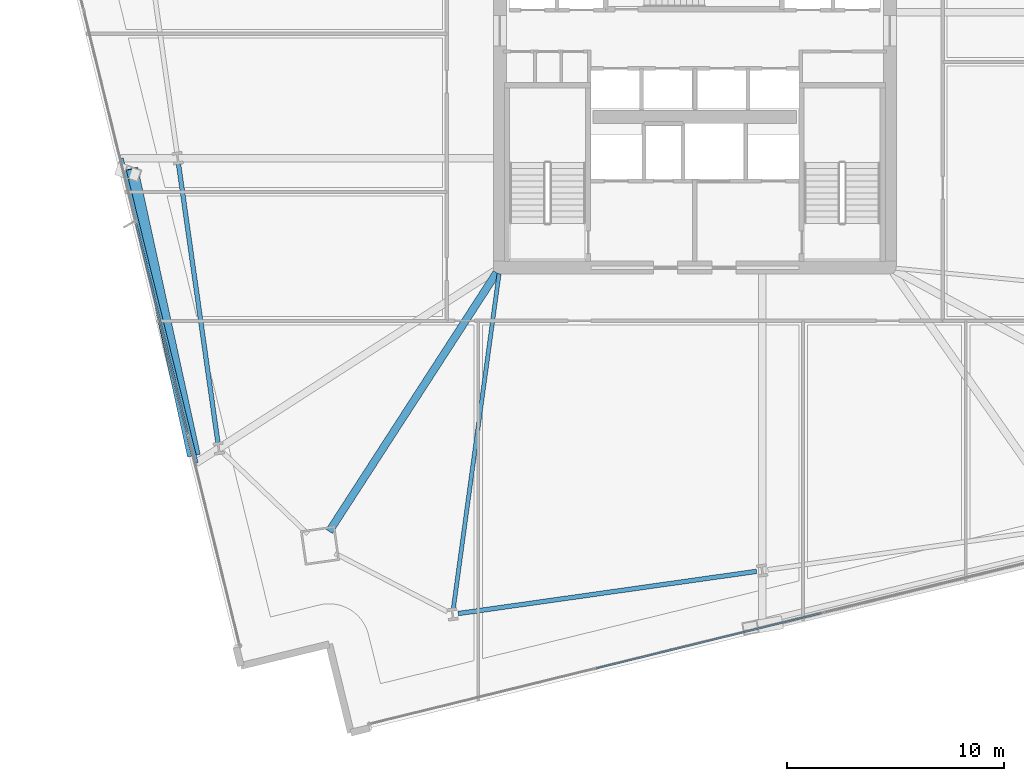
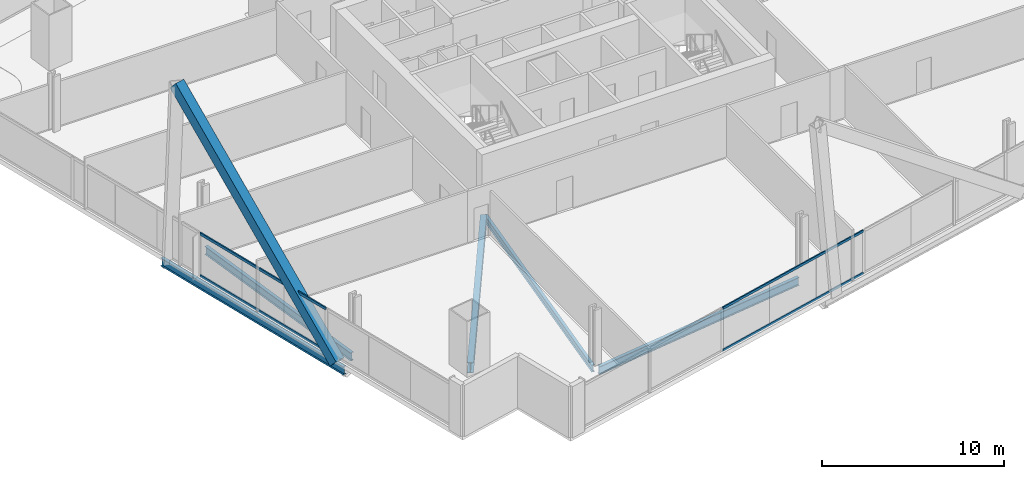
# One storey, part 4 of 32: 5 beams, 5 members, 2 elements without a shape of their own.
"""IFC4 building model written with IfcOpenShell, lengths in metres."""

from ifc_helpers import new_model, si_unit, direction, frame, origin, origin_2d, place, context, subcontext, project, spatial, hollow_rectangle, i_section, extrude, material, material_profile, profile_set, type_object, element, aggregate, save


model = new_model("IFC4")

# Units and contexts
model_context = context("Model", 3, precision=1e-05, world=origin(), true_north=direction((0.0, 1.0)))
body_context = subcontext(model_context, "Body", "Model", "MODEL_VIEW")
ifc_project = project(units=[si_unit("LENGTHUNIT", "METRE"), si_unit("AREAUNIT", "SQUARE_METRE"), si_unit("VOLUMEUNIT", "CUBIC_METRE"), si_unit("PLANEANGLEUNIT", "RADIAN"), si_unit("MASSUNIT", "GRAM", prefix="KILO")], contexts=[model_context])

# Site, building, storey
site_placement = place(None, origin())
site = spatial("IfcSite", under=ifc_project, at=site_placement, CompositionType="ELEMENT")
building_placement = place(site_placement, origin())
building = spatial("IfcBuilding", under=site, at=building_placement, Name="Haldenkirk Collegiate Tower", CompositionType="ELEMENT")
storey_placement = place(building_placement, frame((0.0, 0.0, 73.949951171875)))
storey = spatial("IfcBuildingStorey", under=building, at=storey_placement, Name="L17", CompositionType="ELEMENT", Elevation=73.949951171875)

# Beams
ifc_material_1 = material(Name="Steel ASTM A992 Grade 50", Category="steel")
ifc_material_profile_1 = material_profile(ifc_material_1, i_section(OverallWidth=0.35498046875, OverallDepth=0.696044921875, WebThickness=0.015380859375, FlangeThickness=0.02490234375, at=origin_2d()), Name="W27X146")
ifc_profile_set_1 = profile_set([ifc_material_profile_1], Name="Steel ASTM A992 Grade 50")
beam_type_1 = type_object("IfcBeamType", Name="BM-GIRDER-W27X146", PredefinedType="BEAM", material=ifc_profile_set_1)
beam_1_placement = place(storey_placement, frame((19.1201171875, 5.826416015625, -0.657958984375), z_axis=(0.54339434448, 0.839477567531, 0.0), x_axis=(-0.839477567531, 0.54339434448, 0.0)))
element("IfcBeam", 1, at=beam_1_placement, inside=storey, type_object=beam_type_1, Name="L17 primary floor girder 01", PredefinedType="BEAM", context=body_context, shape_type="SweptSolid", body=[
    extrude(i_section(OverallWidth=0.35498046875, OverallDepth=0.696044921875, WebThickness=0.015380859375, FlangeThickness=0.02490234375, at=origin_2d()), origin(), (0.0, 0.0, 1.0), 14.221435546875),
])
ifc_material_profile_2 = material_profile(ifc_material_1, i_section(OverallWidth=0.19189453125, OverallDepth=0.462890625, WebThickness=0.010498046875, FlangeThickness=0.017578125, at=origin_2d()), Name="W18X60")
ifc_profile_set_2 = profile_set([ifc_material_profile_2], Name="Steel ASTM A992 Grade 50")
beam_type_2 = type_object("IfcBeamType", Name="BM-JOIST-W18X60", PredefinedType="JOIST", material=ifc_profile_set_2)
beam_2_placement = place(storey_placement, frame((24.850830078125, 2.25927734375, -0.54150390625), z_axis=(0.135282136316, 0.99080711725, 0.0), x_axis=(-0.99080711725, 0.135282136316, 0.0)))
element("IfcBeam", 2, at=beam_2_placement, inside=storey, type_object=beam_type_2, Name="L17 composite floor joist 05", PredefinedType="JOIST", context=body_context, shape_type="SweptSolid", body=[
    extrude(i_section(OverallWidth=0.19189453125, OverallDepth=0.462890625, WebThickness=0.010498046875, FlangeThickness=0.017578125, at=origin_2d()), origin(), (0.0, 0.0, 1.0), 15.60693359375),
])
ifc_material_profile_3 = material_profile(ifc_material_1, i_section(OverallWidth=0.2119140625, OverallDepth=0.5439453125, WebThickness=0.01318359375, FlangeThickness=0.021240234375, at=origin_2d()), Name="W21X83")
ifc_profile_set_3 = profile_set([ifc_material_profile_3], Name="Steel ASTM A992 Grade 50")
beam_type_3 = type_object("IfcBeamType", Name="BM-SPANDREL-W21X83", PredefinedType="SPANDREL", material=ifc_profile_set_3)
beam_3_placement = place(storey_placement, frame((25.076904296875, 2.0341796875, -0.58203125), z_axis=(0.990146197746, 0.14003752029, 0.0), x_axis=(-0.14003752029, 0.990146197746, 0.0)))
element("IfcBeam", 3, at=beam_3_placement, inside=storey, type_object=beam_type_3, Name="L17 perimeter spandrel beam 02", PredefinedType="SPANDREL", context=body_context, shape_type="SweptSolid", body=[
    extrude(i_section(OverallWidth=0.2119140625, OverallDepth=0.5439453125, WebThickness=0.01318359375, FlangeThickness=0.021240234375, at=origin_2d()), origin(), (0.0, 0.0, 1.0), 13.906982421875),
])
beam_4_placement = place(storey_placement, frame((12.16455078125, 22.791015625, -0.58203125), z_axis=(0.140043508171, -0.990145350855, 0.0), x_axis=(0.990145350855, 0.140043508171, 0.0)))
element("IfcBeam", 4, at=beam_4_placement, inside=storey, type_object=beam_type_3, Name="L17 perimeter spandrel beam 15", PredefinedType="SPANDREL", context=body_context, shape_type="SweptSolid", body=[
    extrude(i_section(OverallWidth=0.2119140625, OverallDepth=0.5439453125, WebThickness=0.01318359375, FlangeThickness=0.021240234375, at=origin_2d()), origin(), (0.0, 0.0, 1.0), 13.0),
])
beam_5_placement = place(storey_placement, frame((9.50830078125, 23.052978515625, -0.58203125), z_axis=(0.238526407577, -0.971136011529, 0.0), x_axis=(0.971136011529, 0.238526407577, 0.0)))
element("IfcBeam", 5, at=beam_5_placement, inside=storey, type_object=beam_type_3, Name="L17 outer facade edge beam 4", PredefinedType="SPANDREL", context=body_context, shape_type="SweptSolid", body=[
    extrude(i_section(OverallWidth=0.2119140625, OverallDepth=0.5439453125, WebThickness=0.01318359375, FlangeThickness=0.021240234375, at=origin_2d()), origin(), (0.0, 0.0, 1.0), 14.4931640625),
])

# Curtain wall, members
ifc_material_2 = material(Name="Anodised architectural bronze aluminium", Category="aluminium")
curtain_wall_type_1 = type_object("IfcCurtainWallType", Name="CW-SYS2-CONCAVE", PredefinedType="USERDEFINED", material=ifc_material_2)
curtain_wall_1_placement = place(storey_placement, origin())
curtain_wall_1 = element("IfcCurtainWall", 6, at=curtain_wall_1_placement, inside=storey, type_object=curtain_wall_type_1, Name="L17 South concave recessed bronze-anodised curtain wall", ObjectType="UNITISED CURTAIN WALL", PredefinedType="USERDEFINED")
ifc_material_profile_4 = material_profile(ifc_material_2, hollow_rectangle(XDim=0.074951171875, YDim=0.159912109375, WallThickness=0.0048828125, at=origin_2d()), Name="CW-TRN-02")
ifc_profile_set_4 = profile_set([ifc_material_profile_4], Name="Anodised architectural bronze aluminium")
member_type_1 = type_object("IfcMemberType", Name="CW-TRN-02", PredefinedType="USERDEFINED", material=ifc_profile_set_4)
member_1_placement = place(storey_placement, frame((41.84228515625, 2.057373046875, 0.03759765625), z_axis=(-0.97113549501, -0.238528510522, 0.0), x_axis=(0.238528510522, -0.97113549501, 0.0)))
member_1 = element("IfcMember", 7, at=member_1_placement, type_object=member_type_1, Name="CW-02 transom 3.1", ObjectType="TRANSOM", PredefinedType="USERDEFINED", context=body_context, shape_type="SweptSolid", body=[
    extrude(hollow_rectangle(XDim=0.074951171875, YDim=0.159912109375, WallThickness=0.0048828125, at=origin_2d()), origin(), (0.0, 0.0, 1.0), 10.699951171875),
])
member_2_placement = place(storey_placement, frame((41.84228515625, 2.057373046875, 2.853515625), z_axis=(-0.97113549501, -0.238528510522, 0.0), x_axis=(0.238528510522, -0.97113549501, 0.0)))
member_2 = element("IfcMember", 8, at=member_2_placement, type_object=member_type_1, Name="CW-02 transom 3.2", ObjectType="TRANSOM", PredefinedType="USERDEFINED", context=body_context, shape_type="SweptSolid", body=[
    extrude(hollow_rectangle(XDim=0.074951171875, YDim=0.159912109375, WallThickness=0.0048828125, at=origin_2d()), origin(), (0.0, 0.0, 1.0), 10.699951171875),
])
aggregate(curtain_wall_1, [member_1, member_2])

curtain_wall_type_2 = type_object("IfcCurtainWallType", Name="CW-SYS1-CONVEX-LOW", PredefinedType="USERDEFINED", material=ifc_material_2)
curtain_wall_2_placement = place(storey_placement, origin())
curtain_wall_2 = element("IfcCurtainWall", 9, at=curtain_wall_2_placement, inside=storey, type_object=curtain_wall_type_2, Name="L17 Lower tower convex bronze-framed unitised curtain wall", ObjectType="UNITISED CURTAIN WALL", PredefinedType="USERDEFINED")
ifc_material_profile_5 = material_profile(ifc_material_2, hollow_rectangle(XDim=0.080078125, YDim=0.179931640625, WallThickness=0.0048828125, at=origin_2d()), Name="CW-TRN-1A")
ifc_profile_set_5 = profile_set([ifc_material_profile_5], Name="Anodised architectural bronze aluminium")
member_type_2 = type_object("IfcMemberType", Name="CW-TRN-1A", PredefinedType="USERDEFINED", material=ifc_profile_set_5)
member_3_placement = place(storey_placement, frame((12.587890625, 10.34716796875, 0.0400390625), z_axis=(-0.238548190467, 0.971130661047, 0.0), x_axis=(-0.971130661047, -0.238548190467, 0.0)))
member_3 = element("IfcMember", 10, at=member_3_placement, type_object=member_type_2, Name="CW-1A transom 2.1", ObjectType="TRANSOM", PredefinedType="USERDEFINED", context=body_context, shape_type="SweptSolid", body=[
    extrude(hollow_rectangle(XDim=0.080078125, YDim=0.179931640625, WallThickness=0.0048828125, at=origin_2d()), origin(), (0.0, 0.0, 1.0), 9.98876953125),
])
member_4_placement = place(storey_placement, frame((12.587890625, 10.34716796875, 2.85107421875), z_axis=(-0.238548190467, 0.971130661047, 0.0), x_axis=(-0.971130661047, -0.238548190467, 0.0)))
member_4 = element("IfcMember", 11, at=member_4_placement, type_object=member_type_2, Name="CW-1A transom 2.2", ObjectType="TRANSOM", PredefinedType="USERDEFINED", context=body_context, shape_type="SweptSolid", body=[
    extrude(hollow_rectangle(XDim=0.080078125, YDim=0.179931640625, WallThickness=0.0048828125, at=origin_2d()), origin(), (0.0, 0.0, 1.0), 9.98876953125),
])
aggregate(curtain_wall_2, [member_3, member_4])

# Member
ifc_material_3 = material(Name="Steel ASTM A572 Grade 50", Category="steel")
ifc_material_profile_6 = material_profile(ifc_material_3, hollow_rectangle(XDim=0.60009765625, YDim=0.719970703125, WallThickness=0.044921875, at=origin_2d()), Name="BOX720X600X45")
ifc_profile_set_6 = profile_set([ifc_material_profile_6], Name="Steel ASTM A572 Grade 50")
member_type_3 = type_object("IfcMemberType", Name="MBR-MEGABRACE-BOX720X600X45", PredefinedType="BRACE", material=ifc_profile_set_6)
member_5_placement = place(storey_placement, frame((12.822265625, 9.560791015625, -0.320068359375), z_axis=(-0.157488441202, 0.722718281022, 0.672960383057), x_axis=(-0.977070788121, -0.212914712975, 0.0)))
element("IfcMember", 12, at=member_5_placement, inside=storey, type_object=member_type_3, Name="Perimeter Mega Brace Z1 L17-L19 WR", PredefinedType="BRACE", context=body_context, shape_type="SweptSolid", body=[
    extrude(hollow_rectangle(XDim=0.60009765625, YDim=0.719970703125, WallThickness=0.044921875, at=origin_2d()), origin(), (0.0, 0.0, 1.0), 17.683349609375),
])

save(model, "model.ifc")
